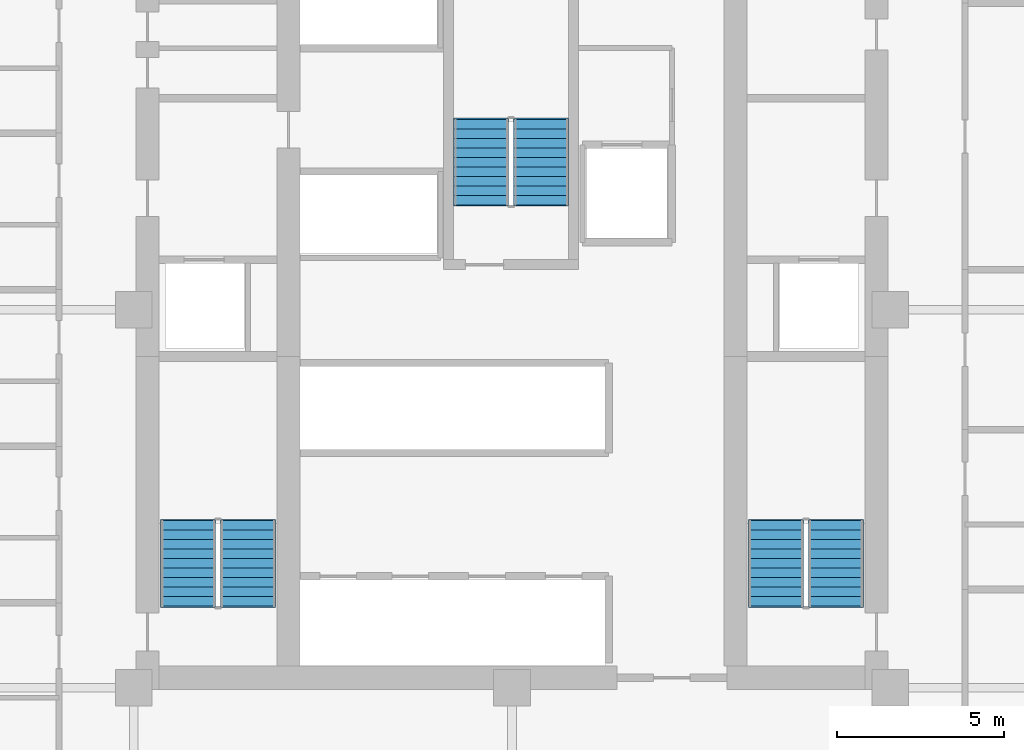
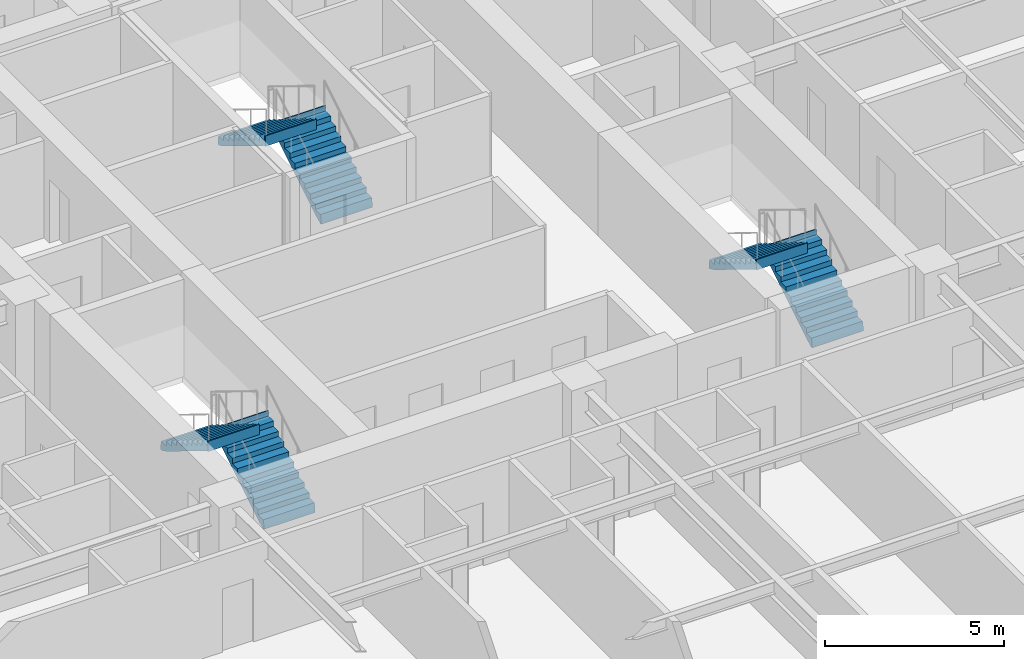
# One storey, part 7 of 8: 6 stair flights, 3 elements without a shape of their own.
"""IFC4 building model written with IfcOpenShell, lengths in metres."""

from ifc_helpers import new_model, si_unit, direction, frame, origin, place, context, subcontext, project, spatial, polyline, outline, extrude, material, type_object, element, aggregate, save


model = new_model("IFC4")

# Units and contexts
model_context = context("Model", 3, precision=1e-05, world=origin(), true_north=direction((0.0, 1.0)))
body_context = subcontext(model_context, "Body", "Model", "MODEL_VIEW")
ifc_project = project(units=[si_unit("LENGTHUNIT", "METRE"), si_unit("AREAUNIT", "SQUARE_METRE"), si_unit("VOLUMEUNIT", "CUBIC_METRE"), si_unit("PLANEANGLEUNIT", "RADIAN"), si_unit("MASSUNIT", "GRAM", prefix="KILO")], contexts=[model_context])

# Site, building, storey
site_placement = place(None, origin())
site = spatial("IfcSite", under=ifc_project, at=site_placement, CompositionType="ELEMENT")
building_placement = place(site_placement, origin())
building = spatial("IfcBuilding", under=site, at=building_placement, Name="Nhamokura Convention Tower", CompositionType="ELEMENT")
storey_placement = place(building_placement, frame((0.0, 0.0, 45.85009765625)))
storey = spatial("IfcBuildingStorey", under=building, at=storey_placement, Name="L09", CompositionType="ELEMENT", Elevation=45.85009765625)

# Stair, stair flights
ifc_material_1 = material(Name="Concrete C40/50", Category="concrete")
stair_type = type_object("IfcStairType", Name="TowerCoreStair_1650", PredefinedType="HALF_TURN_STAIR", material=ifc_material_1)
stair_1_placement = place(storey_placement, origin())
stair_1 = element("IfcStair", 1, at=stair_1_placement, inside=storey, type_object=stair_type, Name="L09 West Core Smokeproof Stair ST-01", PredefinedType="HALF_TURN_STAIR")
ifc_material_2 = material(Name="Concrete C40/50", Category="concrete")
stair_flight_type = type_object("IfcStairFlightType", Name="TowerCoreStair_1650_Flight", PredefinedType="STRAIGHT", material=ifc_material_2)
stair_flight_1_placement = place(storey_placement, frame((24.074951171875, 23.10009765625, 0.0), z_axis=(0.0, 0.0, 1.0), x_axis=(0.0, 1.0, 0.0)))
stair_flight_1 = element("IfcStairFlight", 2, at=stair_flight_1_placement, type_object=stair_flight_type, Name="ST-01 flight 1", NumberOfRisers=10, NumberOfTreads=9, PredefinedType="STRAIGHT", RiserHeight=0.175, TreadLength=0.285, context=body_context, shape_type="SweptSolid", body=[
    extrude(outline(polyline([(-0.0419921875, 0.0), (0.0, 0.175048828125), (0.284912109375, 0.175048828125), (0.284912109375, 0.35009765625), (0.570068359375, 0.35009765625), (0.570068359375, 0.52490234375), (0.85498046875, 0.52490234375), (0.85498046875, 0.699951171875), (1.139892578125, 0.699951171875), (1.139892578125, 0.875), (1.425048828125, 0.875), (1.425048828125, 1.050048828125), (1.7099609375, 1.050048828125), (1.7099609375, 1.22509765625), (1.9951171875, 1.22509765625), (1.9951171875, 1.39990234375), (2.280029296875, 1.39990234375), (2.280029296875, 1.574951171875), (2.56494140625, 1.574951171875), (2.56494140625, 1.75), (2.60693359375, 1.75), (2.60693359375, 1.399169921875), (2.56494140625, 1.399169921875), (0.286376953125, 0.0), (0.02001953125, -0.1298828125), (-0.0419921875, -0.1298828125), (-0.0419921875, 0.0)])), frame((0.0, 0.824951171875, 0.0), z_axis=(0.0, -1.0, 0.0), x_axis=(1.0, 0.0, 0.0)), (0.0, 0.0, 1.0), 1.64990234375),
])
stair_flight_2_placement = place(storey_placement, frame((22.27490234375, 25.6650390625, 1.75), z_axis=(0.0, 0.0, 1.0), x_axis=(0.0, -1.0, 0.0)))
stair_flight_2 = element("IfcStairFlight", 3, at=stair_flight_2_placement, type_object=stair_flight_type, Name="ST-01 flight 2", NumberOfRisers=10, NumberOfTreads=9, PredefinedType="STRAIGHT", RiserHeight=0.175, TreadLength=0.285, context=body_context, shape_type="SweptSolid", body=[
    extrude(outline(polyline([(-0.0419921875, 0.0), (0.0, 0.175048828125), (0.284912109375, 0.175048828125), (0.284912109375, 0.35009765625), (0.570068359375, 0.35009765625), (0.570068359375, 0.52490234375), (0.85498046875, 0.52490234375), (0.85498046875, 0.699951171875), (1.139892578125, 0.699951171875), (1.139892578125, 0.875), (1.425048828125, 0.875), (1.425048828125, 1.050048828125), (1.7099609375, 1.050048828125), (1.7099609375, 1.22509765625), (1.9951171875, 1.22509765625), (1.9951171875, 1.39990234375), (2.280029296875, 1.39990234375), (2.280029296875, 1.574951171875), (2.56494140625, 1.574951171875), (2.56494140625, 1.75), (2.60693359375, 1.75), (2.60693359375, 1.399169921875), (2.56494140625, 1.399169921875), (0.286376953125, 0.0), (0.02001953125, -0.1298828125), (-0.0419921875, -0.1298828125), (-0.0419921875, 0.0)])), frame((0.0, 0.824951171875, 0.0), z_axis=(0.0, -1.0, 0.0), x_axis=(1.0, 0.0, 0.0)), (0.0, 0.0, 1.0), 1.64990234375),
])
aggregate(stair_1, [stair_flight_1, stair_flight_2])

stair_2_placement = place(storey_placement, origin())
stair_2 = element("IfcStair", 4, at=stair_2_placement, inside=storey, type_object=stair_type, Name="L09 East Core Smokeproof Stair ST-02", PredefinedType="HALF_TURN_STAIR")
stair_flight_3_placement = place(storey_placement, frame((41.72509765625, 23.10009765625, 0.0), z_axis=(0.0, 0.0, 1.0), x_axis=(0.0, 1.0, 0.0)))
stair_flight_3 = element("IfcStairFlight", 5, at=stair_flight_3_placement, type_object=stair_flight_type, Name="ST-02 flight 1", NumberOfRisers=10, NumberOfTreads=9, PredefinedType="STRAIGHT", RiserHeight=0.175, TreadLength=0.285, context=body_context, shape_type="SweptSolid", body=[
    extrude(outline(polyline([(-0.0419921875, 0.0), (0.0, 0.175048828125), (0.284912109375, 0.175048828125), (0.284912109375, 0.35009765625), (0.570068359375, 0.35009765625), (0.570068359375, 0.52490234375), (0.85498046875, 0.52490234375), (0.85498046875, 0.699951171875), (1.139892578125, 0.699951171875), (1.139892578125, 0.875), (1.425048828125, 0.875), (1.425048828125, 1.050048828125), (1.7099609375, 1.050048828125), (1.7099609375, 1.22509765625), (1.9951171875, 1.22509765625), (1.9951171875, 1.39990234375), (2.280029296875, 1.39990234375), (2.280029296875, 1.574951171875), (2.56494140625, 1.574951171875), (2.56494140625, 1.75), (2.60693359375, 1.75), (2.60693359375, 1.399169921875), (2.56494140625, 1.399169921875), (0.286376953125, 0.0), (0.02001953125, -0.1298828125), (-0.0419921875, -0.1298828125), (-0.0419921875, 0.0)])), frame((0.0, 0.824951171875, 0.0), z_axis=(0.0, -1.0, 0.0), x_axis=(1.0, 0.0, 0.0)), (0.0, 0.0, 1.0), 1.64990234375),
])
stair_flight_4_placement = place(storey_placement, frame((39.925048828125, 25.6650390625, 1.75), z_axis=(0.0, 0.0, 1.0), x_axis=(0.0, -1.0, 0.0)))
stair_flight_4 = element("IfcStairFlight", 6, at=stair_flight_4_placement, type_object=stair_flight_type, Name="ST-02 flight 2", NumberOfRisers=10, NumberOfTreads=9, PredefinedType="STRAIGHT", RiserHeight=0.175, TreadLength=0.285, context=body_context, shape_type="SweptSolid", body=[
    extrude(outline(polyline([(-0.0419921875, 0.0), (0.0, 0.175048828125), (0.284912109375, 0.175048828125), (0.284912109375, 0.35009765625), (0.570068359375, 0.35009765625), (0.570068359375, 0.52490234375), (0.85498046875, 0.52490234375), (0.85498046875, 0.699951171875), (1.139892578125, 0.699951171875), (1.139892578125, 0.875), (1.425048828125, 0.875), (1.425048828125, 1.050048828125), (1.7099609375, 1.050048828125), (1.7099609375, 1.22509765625), (1.9951171875, 1.22509765625), (1.9951171875, 1.39990234375), (2.280029296875, 1.39990234375), (2.280029296875, 1.574951171875), (2.56494140625, 1.574951171875), (2.56494140625, 1.75), (2.60693359375, 1.75), (2.60693359375, 1.399169921875), (2.56494140625, 1.399169921875), (0.286376953125, 0.0), (0.02001953125, -0.1298828125), (-0.0419921875, -0.1298828125), (-0.0419921875, 0.0)])), frame((0.0, 0.824951171875, 0.0), z_axis=(0.0, -1.0, 0.0), x_axis=(1.0, 0.0, 0.0)), (0.0, 0.0, 1.0), 1.64990234375),
])
aggregate(stair_2, [stair_flight_3, stair_flight_4])

stair_3_placement = place(storey_placement, origin())
stair_3 = element("IfcStair", 7, at=stair_3_placement, inside=storey, type_object=stair_type, Name="L09 North Core Smokeproof Stair ST-03", PredefinedType="HALF_TURN_STAIR")
stair_flight_5_placement = place(storey_placement, frame((32.875, 35.14990234375, 0.0), z_axis=(0.0, 0.0, 1.0), x_axis=(0.0, 1.0, 0.0)))
stair_flight_5 = element("IfcStairFlight", 8, at=stair_flight_5_placement, type_object=stair_flight_type, Name="ST-03 flight 1", NumberOfRisers=10, NumberOfTreads=9, PredefinedType="STRAIGHT", RiserHeight=0.175, TreadLength=0.285, context=body_context, shape_type="SweptSolid", body=[
    extrude(outline(polyline([(-0.0419921875, 0.0), (0.0, 0.175048828125), (0.284912109375, 0.175048828125), (0.284912109375, 0.35009765625), (0.570068359375, 0.35009765625), (0.570068359375, 0.52490234375), (0.85498046875, 0.52490234375), (0.85498046875, 0.699951171875), (1.139892578125, 0.699951171875), (1.139892578125, 0.875), (1.425048828125, 0.875), (1.425048828125, 1.050048828125), (1.7099609375, 1.050048828125), (1.7099609375, 1.22509765625), (1.9951171875, 1.22509765625), (1.9951171875, 1.39990234375), (2.280029296875, 1.39990234375), (2.280029296875, 1.574951171875), (2.56494140625, 1.574951171875), (2.56494140625, 1.75), (2.60693359375, 1.75), (2.60693359375, 1.399169921875), (2.56494140625, 1.399169921875), (0.286376953125, 0.0), (0.02001953125, -0.1298828125), (-0.0419921875, -0.1298828125), (-0.0419921875, 0.0)])), frame((0.0, 0.824951171875, 0.0), z_axis=(0.0, -1.0, 0.0), x_axis=(1.0, 0.0, 0.0)), (0.0, 0.0, 1.0), 1.64990234375),
])
stair_flight_6_placement = place(storey_placement, frame((31.074951171875, 37.715087890625, 1.75), z_axis=(0.0, 0.0, 1.0), x_axis=(0.0, -1.0, 0.0)))
stair_flight_6 = element("IfcStairFlight", 9, at=stair_flight_6_placement, type_object=stair_flight_type, Name="ST-03 flight 2", NumberOfRisers=10, NumberOfTreads=9, PredefinedType="STRAIGHT", RiserHeight=0.175, TreadLength=0.285, context=body_context, shape_type="SweptSolid", body=[
    extrude(outline(polyline([(-0.0419921875, 0.0), (0.0, 0.175048828125), (0.284912109375, 0.175048828125), (0.284912109375, 0.35009765625), (0.570068359375, 0.35009765625), (0.570068359375, 0.52490234375), (0.85498046875, 0.52490234375), (0.85498046875, 0.699951171875), (1.139892578125, 0.699951171875), (1.139892578125, 0.875), (1.425048828125, 0.875), (1.425048828125, 1.050048828125), (1.7099609375, 1.050048828125), (1.7099609375, 1.22509765625), (1.9951171875, 1.22509765625), (1.9951171875, 1.39990234375), (2.280029296875, 1.39990234375), (2.280029296875, 1.574951171875), (2.56494140625, 1.574951171875), (2.56494140625, 1.75), (2.60693359375, 1.75), (2.60693359375, 1.399169921875), (2.56494140625, 1.399169921875), (0.286376953125, 0.0), (0.02001953125, -0.1298828125), (-0.0419921875, -0.1298828125), (-0.0419921875, 0.0)])), frame((0.0, 0.824951171875, 0.0), z_axis=(0.0, -1.0, 0.0), x_axis=(1.0, 0.0, 0.0)), (0.0, 0.0, 1.0), 1.64990234375),
])
aggregate(stair_3, [stair_flight_5, stair_flight_6])

save(model, "model.ifc")
